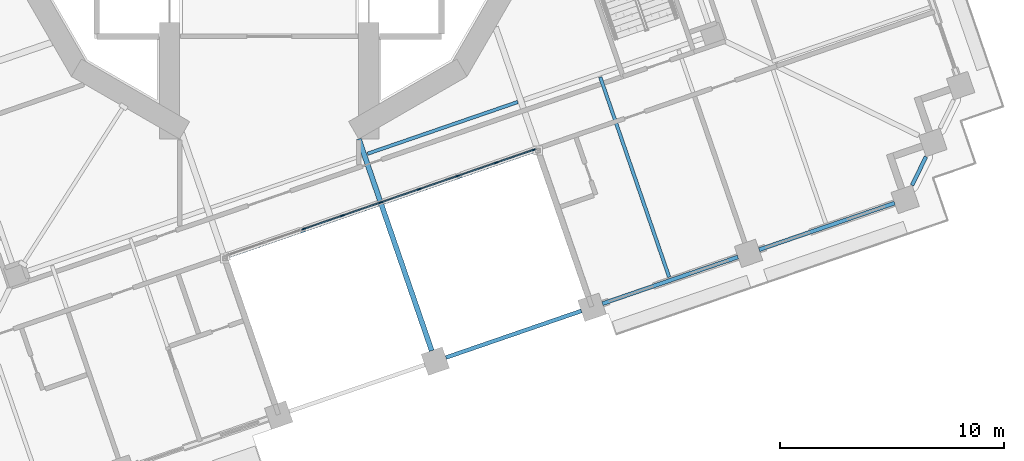
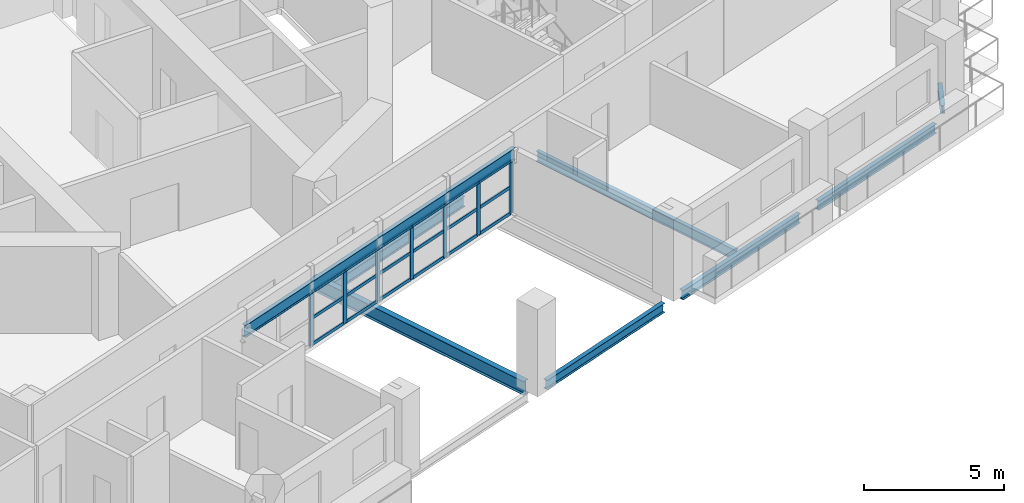
# One storey, part 4 of 22: 25 members, 8 beams, 1 element without a shape of its own.
"""IFC4 building model written with IfcOpenShell, lengths in metres."""

import ifcopenshell
import ifcopenshell.guid

model = None  # the IFC model being written
_history = None  # IfcOwnerHistory: only IFC2X3 demands one
_inside = {}  # id of a spatial element -> (the spatial element, [elements in it])
_under = {}  # id of a project, library or spatial element -> (it, [spatial elements below it])
_declared = {}  # id of a project -> (the project, [libraries it declares])
_typed = {}  # id of a type object -> (the type object, [elements of that type])
_made_of = {}  # id of a material, layer set ... -> (it, [elements and type objects made of it])


def new_model(schema):
    """Start an empty IFC model of exactly this schema.

    Asked for "IFC4X3", IfcOpenShell would pick the latest addendum, in which some entities
    have other attributes; the version numbers below select the first issue.
    IFC2X3 requires an IfcOwnerHistory on every rooted entity: one is made here for all.
    """
    global model, _history
    if schema == "IFC4X3":
        model = ifcopenshell.file(schema_version=(4, 3, 0, 0))
    else:
        model = ifcopenshell.file(schema=schema)
    _inside.clear()
    _under.clear()
    _declared.clear()
    _typed.clear()
    _made_of.clear()
    _history = None
    if model.schema == "IFC2X3":
        org = make("IfcOrganization", Name="unknown")
        user = make(
            "IfcPersonAndOrganization",
            ThePerson=make("IfcPerson", FamilyName="unknown"),
            TheOrganization=org,
        )
        app = make(
            "IfcApplication",
            ApplicationDeveloper=org,
            Version="unknown",
            ApplicationFullName="unknown",
            ApplicationIdentifier="unknown",
        )
        _history = make(
            "IfcOwnerHistory",
            OwningUser=user,
            OwningApplication=app,
            ChangeAction="ADDED",
            CreationDate=0,
        )
    return model


def make(cls, **values):
    """One entity of the class cls with the attributes given. An attribute that is None is left unset."""
    return model.create_entity(
        cls, **{name: value for name, value in values.items() if value is not None}
    )


def rooted(cls, **values):
    """An entity with a GlobalId (a new one), such as an element, a storey or a relation."""
    return make(cls, GlobalId=ifcopenshell.guid.new(), OwnerHistory=_history, **values)


def si_unit(unit_type, name, prefix=None):
    """IfcSIUnit, for example si_unit("LENGTHUNIT", "METRE", prefix="MILLI")."""
    return make("IfcSIUnit", UnitType=unit_type, Prefix=prefix, Name=name)


def assignment(units):
    """IfcUnitAssignment: the units of a project."""
    return None if units is None else make("IfcUnitAssignment", Units=units)


def point(xyz):
    """IfcCartesianPoint."""
    return None if xyz is None else make("IfcCartesianPoint", Coordinates=xyz)


def direction(xyz):
    """IfcDirection."""
    return None if xyz is None else make("IfcDirection", DirectionRatios=xyz)


def frame(location, z_axis=None, x_axis=None):
    """IfcAxis2Placement3D, a coordinate frame: its origin and axes. An axis left out is left unset."""
    return make(
        "IfcAxis2Placement3D",
        Location=point(location),
        Axis=direction(z_axis),
        RefDirection=direction(x_axis),
    )


def frame_2d(location, x_axis=None):
    """IfcAxis2Placement2D, a coordinate frame in the plane: its origin and x axis."""
    return make(
        "IfcAxis2Placement2D", Location=point(location), RefDirection=direction(x_axis)
    )


def origin():
    """The frame at (0, 0, 0) with its axes left unset."""
    return frame((0.0, 0.0, 0.0))


def origin_2d():
    """The frame at (0, 0) in the plane with its x axis left unset."""
    return frame_2d((0.0, 0.0))


def place(relative_to, where):
    """IfcLocalPlacement: puts the frame where relative to a parent placement (None: the world)."""
    return make(
        "IfcLocalPlacement", PlacementRelTo=relative_to, RelativePlacement=where
    )


def context(
    kind, dimensions, precision=None, world=None, true_north=None, identifier=None
):
    """IfcGeometricRepresentationContext, for example the 3D "Model" context."""
    return make(
        "IfcGeometricRepresentationContext",
        ContextIdentifier=identifier,
        ContextType=kind,
        CoordinateSpaceDimension=dimensions,
        Precision=precision,
        WorldCoordinateSystem=world,
        TrueNorth=true_north,
    )


def subcontext(parent, identifier, kind, view, scale=None):
    """IfcGeometricRepresentationSubContext, for example "Body" below "Model"."""
    return make(
        "IfcGeometricRepresentationSubContext",
        ContextIdentifier=identifier,
        ContextType=kind,
        ParentContext=parent,
        TargetScale=scale,
        TargetView=view,
    )


def project(units=None, contexts=None):
    """IfcProject with its units and contexts."""
    return rooted(
        "IfcProject",
        Name="project",
        RepresentationContexts=contexts,
        UnitsInContext=assignment(units),
    )


def spatial(cls, under=None, at=None, **own):
    """A site, building, storey or space (cls), placed at a placement, below another one or the project."""
    s = rooted(cls, ObjectPlacement=at, **own)
    if under is not None:
        _under.setdefault(under.id(), (under, []))[1].append(s)
    return s


def profile(cls, at=None, kind="AREA", **sizes):
    """A parametric profile (cls). Its sizes go by their IFC names, for example OverallWidth=200.0."""
    return make(cls, ProfileType=kind, Position=at, **sizes)


def rectangle(**sizes):
    """IfcRectangleProfileDef."""
    return profile("IfcRectangleProfileDef", **sizes)


def i_section(**sizes):
    """IfcIShapeProfileDef."""
    return profile("IfcIShapeProfileDef", **sizes)


def extrude(swept, where, along, depth):
    """IfcExtrudedAreaSolid: the profile swept, set in the frame where, extruded along a direction by depth."""
    return make(
        "IfcExtrudedAreaSolid",
        SweptArea=swept,
        Position=where,
        ExtrudedDirection=direction(along),
        Depth=depth,
    )


def shape(context_of_items, identifier, shape_type, items):
    """IfcShapeRepresentation: the items that make up one representation, for example the "Body"."""
    return make(
        "IfcShapeRepresentation",
        ContextOfItems=context_of_items,
        RepresentationIdentifier=identifier,
        RepresentationType=shape_type,
        Items=items,
    )


def material(Name=None, Category=None):
    """IfcMaterial."""
    return make("IfcMaterial", Name=Name, Category=Category)


def material_profile(
    of_material, cross_section, Name=None, Category=None, Priority=None
):
    """IfcMaterialProfile: a cross section and its material."""
    return make(
        "IfcMaterialProfile",
        Name=Name,
        Material=of_material,
        Profile=cross_section,
        Priority=Priority,
        Category=Category,
    )


def profile_set(profiles, Name=None, composite=None):
    """IfcMaterialProfileSet."""
    return make(
        "IfcMaterialProfileSet",
        Name=Name,
        MaterialProfiles=profiles,
        CompositeProfile=composite,
    )


def made_of(thing, what):
    """Note that an element or type object is made of a material, layer set ...; save() writes the relation."""
    if what is not None:
        _made_of.setdefault(what.id(), (what, []))[1].append(thing)
    return thing


def type_object(cls, material=None, **own):
    """A type object (cls), such as IfcWallType, which elements share."""
    return made_of(rooted(cls, **own), material)


def element(
    cls,
    number,
    at=None,
    inside=None,
    cuts=None,
    type_object=None,
    material=None,
    context=None,
    identifier="Body",
    shape_type=None,
    held_by="IfcProductDefinitionShape",
    body=None,
    shapes=None,
    **own,
):
    """One element of the class cls, such as IfcWall. Its Tag is "e" and its number.

    at: its placement. inside: the storey or other place that contains it. cuts: it is an
    opening in that element (IfcRelVoidsElement). A single representation is given by context,
    identifier, shape_type and body (its items); several are given by shapes. held_by: the class
    of the entity that holds the representations. save() writes the other relations.
    """
    e = rooted(cls, Tag="e%d" % number, ObjectPlacement=at, **own)
    if body is not None:
        shapes = [shape(context, identifier, shape_type, body)]
    if shapes is not None:
        e.Representation = make(held_by, Representations=shapes)
    if inside is not None:
        _inside.setdefault(inside.id(), (inside, []))[1].append(e)
    if cuts is not None:
        rooted(
            "IfcRelVoidsElement", RelatingBuildingElement=cuts, RelatedOpeningElement=e
        )
    if type_object is not None:
        _typed.setdefault(type_object.id(), (type_object, []))[1].append(e)
    return made_of(e, material)


def aggregate(whole, parts):
    """IfcRelAggregates: a whole, such as a stair, and the parts it consists of."""
    return rooted("IfcRelAggregates", RelatingObject=whole, RelatedObjects=parts)


def save(model, path):
    """Write the relations noted so far, then the file.

    IfcRelAggregates (storeys below a building ...), IfcRelContainedInSpatialStructure (elements
    in a storey), IfcRelDefinesByType, IfcRelAssociatesMaterial and IfcRelDeclares: one each for
    every whole, place, type object, material and project.
    """
    for whole, parts in _under.values():
        aggregate(whole, parts)
    for where, things in _inside.values():
        rooted(
            "IfcRelContainedInSpatialStructure",
            RelatedElements=things,
            RelatingStructure=where,
        )
    for kind, things in _typed.values():
        rooted("IfcRelDefinesByType", RelatedObjects=things, RelatingType=kind)
    for what, things in _made_of.values():
        rooted("IfcRelAssociatesMaterial", RelatedObjects=things, RelatingMaterial=what)
    for by, libraries in _declared.values():
        rooted("IfcRelDeclares", RelatingContext=by, RelatedDefinitions=libraries)
    model.write(path)


model = new_model("IFC4")

# Units and contexts
model_context = context("Model", 3, precision=1e-05, world=origin(), true_north=direction((0.0, 1.0)))
body_context = subcontext(model_context, "Body", "Model", "MODEL_VIEW")
ifc_project = project(units=[si_unit("LENGTHUNIT", "METRE"), si_unit("AREAUNIT", "SQUARE_METRE"), si_unit("VOLUMEUNIT", "CUBIC_METRE"), si_unit("PLANEANGLEUNIT", "RADIAN"), si_unit("MASSUNIT", "GRAM", prefix="KILO")], contexts=[model_context])

# Site, building, storey
site_placement = place(None, origin())
site = spatial("IfcSite", under=ifc_project, at=site_placement, CompositionType="ELEMENT")
building_placement = place(site_placement, origin())
building = spatial("IfcBuilding", under=site, at=building_placement, Name="Cantera Rosa Tower", CompositionType="ELEMENT")
storey_placement = place(building_placement, frame((0.0, 0.0, 107.89990234375)))
storey = spatial("IfcBuildingStorey", under=building, at=storey_placement, Name="L21", CompositionType="ELEMENT", Elevation=107.89990234375)

# Curtain wall, members
ifc_material_1 = material(Name="Aluminium frame with clear glass", Category="aluminium")
curtain_wall_type = type_object("IfcCurtainWallType", Name="CW1 TERRACE POCKET GLAZING", PredefinedType="NOTDEFINED", material=ifc_material_1)
curtain_wall_placement = place(storey_placement, origin())
curtain_wall = element("IfcCurtainWall", 1, at=curtain_wall_placement, inside=storey, type_object=curtain_wall_type, Name="CW1 CW1", PredefinedType="NOTDEFINED")
ifc_material_2 = material(Name="Anodised bronze aluminium", Category="aluminium")
ifc_material_profile_1 = material_profile(ifc_material_2, rectangle(XDim=0.06005859375, YDim=0.179931640625, at=origin_2d()), Name="CW-MULLION 60x180 POCKET")
ifc_profile_set_1 = profile_set([ifc_material_profile_1], Name="Anodised bronze aluminium")
member_type_1 = type_object("IfcMemberType", Name="CW-MULLION 60x180 POCKET", PredefinedType="MULLION", material=ifc_profile_set_1)
member_1_placement = place(storey_placement, frame((1.541748046875, -15.650634765625, 0.0), z_axis=(0.0, 0.0, 1.0), x_axis=(-0.325568154441, 0.945518575605, 0.0)))
member_1 = element("IfcMember", 2, at=member_1_placement, type_object=member_type_1, Name="CW1 mullion 3", PredefinedType="MULLION", context=body_context, shape_type="SweptSolid", body=[
    extrude(rectangle(XDim=0.06005859375, YDim=0.179931640625, at=origin_2d()), origin(), (0.0, 0.0, 1.0), 2.338134765625),
])
member_2_placement = place(storey_placement, frame((3.261474609375, -15.05859375, 0.0), z_axis=(0.0, 0.0, 1.0), x_axis=(-0.325568154441, 0.945518575605, 0.0)))
member_2 = element("IfcMember", 3, at=member_2_placement, type_object=member_type_1, Name="CW1 mullion 4", PredefinedType="MULLION", context=body_context, shape_type="SweptSolid", body=[
    extrude(rectangle(XDim=0.06005859375, YDim=0.179931640625, at=origin_2d()), origin(), (0.0, 0.0, 1.0), 2.338134765625),
])
member_3_placement = place(storey_placement, frame((4.981201171875, -14.466552734375, 0.0), z_axis=(0.0, 0.0, 1.0), x_axis=(-0.325568154441, 0.945518575605, 0.0)))
member_3 = element("IfcMember", 4, at=member_3_placement, type_object=member_type_1, Name="CW1 mullion 5", PredefinedType="MULLION", context=body_context, shape_type="SweptSolid", body=[
    extrude(rectangle(XDim=0.06005859375, YDim=0.179931640625, at=origin_2d()), origin(), (0.0, 0.0, 1.0), 2.338134765625),
])
member_4_placement = place(storey_placement, frame((6.700927734375, -13.874267578125, 0.0), z_axis=(0.0, 0.0, 1.0), x_axis=(-0.325568154441, 0.945518575605, 0.0)))
member_4 = element("IfcMember", 5, at=member_4_placement, type_object=member_type_1, Name="CW1 mullion 6", PredefinedType="MULLION", context=body_context, shape_type="SweptSolid", body=[
    extrude(rectangle(XDim=0.06005859375, YDim=0.179931640625, at=origin_2d()), origin(), (0.0, 0.0, 1.0), 2.338134765625),
])
member_5_placement = place(storey_placement, frame((8.42041015625, -13.2822265625, 0.0), z_axis=(0.0, 0.0, 1.0), x_axis=(-0.325568154441, 0.945518575605, 0.0)))
member_5 = element("IfcMember", 6, at=member_5_placement, type_object=member_type_1, Name="CW1 mullion 7", PredefinedType="MULLION", context=body_context, shape_type="SweptSolid", body=[
    extrude(rectangle(XDim=0.06005859375, YDim=0.179931640625, at=origin_2d()), origin(), (0.0, 0.0, 1.0), 2.338134765625),
])
member_6_placement = place(storey_placement, frame((10.14013671875, -12.68994140625, 0.0), z_axis=(0.0, 0.0, 1.0), x_axis=(-0.325568154441, 0.945518575605, 0.0)))
member_6 = element("IfcMember", 7, at=member_6_placement, type_object=member_type_1, Name="CW1 mullion 8", PredefinedType="MULLION", context=body_context, shape_type="SweptSolid", body=[
    extrude(rectangle(XDim=0.06005859375, YDim=0.179931640625, at=origin_2d()), origin(), (0.0, 0.0, 1.0), 2.338134765625),
])
member_7_placement = place(storey_placement, frame((11.83154296875, -12.107666015625, 0.0), z_axis=(0.0, 0.0, 1.0), x_axis=(-0.325568154441, 0.945518575605, 0.0)))
member_7 = element("IfcMember", 8, at=member_7_placement, type_object=member_type_1, Name="CW1 mullion 9", PredefinedType="MULLION", context=body_context, shape_type="SweptSolid", body=[
    extrude(rectangle(XDim=0.06005859375, YDim=0.179931640625, at=origin_2d()), origin(), (0.0, 0.0, 1.0), 2.338134765625),
])
ifc_material_3 = material(Name="Anodised bronze aluminium", Category="aluminium")
ifc_material_profile_2 = material_profile(ifc_material_3, rectangle(XDim=0.06005859375, YDim=0.139892578125, at=origin_2d()), Name="CW-TRANSOM 60x140 POCKET")
ifc_profile_set_2 = profile_set([ifc_material_profile_2], Name="Anodised bronze aluminium")
member_type_2 = type_object("IfcMemberType", Name="CW-TRANSOM 60x140 POCKET", PredefinedType="USERDEFINED", material=ifc_profile_set_2)
member_8_placement = place(storey_placement, frame((1.5703125, -15.640869140625, 0.030029296875), z_axis=(0.945527779058, 0.325541424444, 0.0), x_axis=(-0.325541424444, 0.945527779058, 0.0)))
member_8 = element("IfcMember", 9, at=member_8_placement, type_object=member_type_2, Name="CW1 transom 3.1", ObjectType="TRANSOM", PredefinedType="USERDEFINED", context=body_context, shape_type="SweptSolid", body=[
    extrude(rectangle(XDim=0.06005859375, YDim=0.139892578125, at=origin_2d()), origin(), (0.0, 0.0, 1.0), 1.758544921875),
])
member_9_placement = place(storey_placement, frame((1.5703125, -15.640869140625, 1.169189453125), z_axis=(0.945527779058, 0.325541424444, 0.0), x_axis=(-0.325541424444, 0.945527779058, 0.0)))
member_9 = element("IfcMember", 10, at=member_9_placement, type_object=member_type_2, Name="CW1 transom 3.2", ObjectType="TRANSOM", PredefinedType="USERDEFINED", context=body_context, shape_type="SweptSolid", body=[
    extrude(rectangle(XDim=0.06005859375, YDim=0.139892578125, at=origin_2d()), origin(), (0.0, 0.0, 1.0), 1.758544921875),
])
member_10_placement = place(storey_placement, frame((1.5703125, -15.640869140625, 2.30810546875), z_axis=(0.945527779058, 0.325541424444, 0.0), x_axis=(-0.325541424444, 0.945527779058, 0.0)))
member_10 = element("IfcMember", 11, at=member_10_placement, type_object=member_type_2, Name="CW1 transom 3.3", ObjectType="TRANSOM", PredefinedType="USERDEFINED", context=body_context, shape_type="SweptSolid", body=[
    extrude(rectangle(XDim=0.06005859375, YDim=0.139892578125, at=origin_2d()), origin(), (0.0, 0.0, 1.0), 1.758544921875),
])
member_11_placement = place(storey_placement, frame((3.289794921875, -15.048828125, 0.030029296875), z_axis=(0.945542488305, 0.325498698631, 0.0), x_axis=(-0.325498698631, 0.945542488305, 0.0)))
member_11 = element("IfcMember", 12, at=member_11_placement, type_object=member_type_2, Name="CW1 transom 4.1", ObjectType="TRANSOM", PredefinedType="USERDEFINED", context=body_context, shape_type="SweptSolid", body=[
    extrude(rectangle(XDim=0.06005859375, YDim=0.139892578125, at=origin_2d()), origin(), (0.0, 0.0, 1.0), 1.7587890625),
])
member_12_placement = place(storey_placement, frame((3.289794921875, -15.048828125, 1.169189453125), z_axis=(0.945542488305, 0.325498698631, 0.0), x_axis=(-0.325498698631, 0.945542488305, 0.0)))
member_12 = element("IfcMember", 13, at=member_12_placement, type_object=member_type_2, Name="CW1 transom 4.2", ObjectType="TRANSOM", PredefinedType="USERDEFINED", context=body_context, shape_type="SweptSolid", body=[
    extrude(rectangle(XDim=0.06005859375, YDim=0.139892578125, at=origin_2d()), origin(), (0.0, 0.0, 1.0), 1.7587890625),
])
member_13_placement = place(storey_placement, frame((3.289794921875, -15.048828125, 2.30810546875), z_axis=(0.945542488305, 0.325498698631, 0.0), x_axis=(-0.325498698631, 0.945542488305, 0.0)))
member_13 = element("IfcMember", 14, at=member_13_placement, type_object=member_type_2, Name="CW1 transom 4.3", ObjectType="TRANSOM", PredefinedType="USERDEFINED", context=body_context, shape_type="SweptSolid", body=[
    extrude(rectangle(XDim=0.06005859375, YDim=0.139892578125, at=origin_2d()), origin(), (0.0, 0.0, 1.0), 1.7587890625),
])
member_14_placement = place(storey_placement, frame((5.009521484375, -14.456787109375, 0.030029296875), z_axis=(0.945499761554, 0.325622789284, 0.0), x_axis=(-0.325622789284, 0.945499761554, 0.0)))
member_14 = element("IfcMember", 15, at=member_14_placement, type_object=member_type_2, Name="CW1 transom 5.1", ObjectType="TRANSOM", PredefinedType="USERDEFINED", context=body_context, shape_type="SweptSolid", body=[
    extrude(rectangle(XDim=0.06005859375, YDim=0.139892578125, at=origin_2d()), origin(), (0.0, 0.0, 1.0), 1.759033203125),
])
member_15_placement = place(storey_placement, frame((5.009521484375, -14.456787109375, 1.169189453125), z_axis=(0.945499761554, 0.325622789284, 0.0), x_axis=(-0.325622789284, 0.945499761554, 0.0)))
member_15 = element("IfcMember", 16, at=member_15_placement, type_object=member_type_2, Name="CW1 transom 5.2", ObjectType="TRANSOM", PredefinedType="USERDEFINED", context=body_context, shape_type="SweptSolid", body=[
    extrude(rectangle(XDim=0.06005859375, YDim=0.139892578125, at=origin_2d()), origin(), (0.0, 0.0, 1.0), 1.759033203125),
])
member_16_placement = place(storey_placement, frame((5.009521484375, -14.456787109375, 2.30810546875), z_axis=(0.945499761554, 0.325622789284, 0.0), x_axis=(-0.325622789284, 0.945499761554, 0.0)))
member_16 = element("IfcMember", 17, at=member_16_placement, type_object=member_type_2, Name="CW1 transom 5.3", ObjectType="TRANSOM", PredefinedType="USERDEFINED", context=body_context, shape_type="SweptSolid", body=[
    extrude(rectangle(XDim=0.06005859375, YDim=0.139892578125, at=origin_2d()), origin(), (0.0, 0.0, 1.0), 1.759033203125),
])
member_17_placement = place(storey_placement, frame((6.729248046875, -13.864501953125, 0.030029296875), z_axis=(0.945527779058, 0.325541424444, 0.0), x_axis=(-0.325541424444, 0.945527779058, 0.0)))
member_17 = element("IfcMember", 18, at=member_17_placement, type_object=member_type_2, Name="CW1 transom 6.1", ObjectType="TRANSOM", PredefinedType="USERDEFINED", context=body_context, shape_type="SweptSolid", body=[
    extrude(rectangle(XDim=0.06005859375, YDim=0.139892578125, at=origin_2d()), origin(), (0.0, 0.0, 1.0), 1.758544921875),
])
member_18_placement = place(storey_placement, frame((6.729248046875, -13.864501953125, 1.169189453125), z_axis=(0.945527779058, 0.325541424444, 0.0), x_axis=(-0.325541424444, 0.945527779058, 0.0)))
member_18 = element("IfcMember", 19, at=member_18_placement, type_object=member_type_2, Name="CW1 transom 6.2", ObjectType="TRANSOM", PredefinedType="USERDEFINED", context=body_context, shape_type="SweptSolid", body=[
    extrude(rectangle(XDim=0.06005859375, YDim=0.139892578125, at=origin_2d()), origin(), (0.0, 0.0, 1.0), 1.758544921875),
])
member_19_placement = place(storey_placement, frame((6.729248046875, -13.864501953125, 2.30810546875), z_axis=(0.945527779058, 0.325541424444, 0.0), x_axis=(-0.325541424444, 0.945527779058, 0.0)))
member_19 = element("IfcMember", 20, at=member_19_placement, type_object=member_type_2, Name="CW1 transom 6.3", ObjectType="TRANSOM", PredefinedType="USERDEFINED", context=body_context, shape_type="SweptSolid", body=[
    extrude(rectangle(XDim=0.06005859375, YDim=0.139892578125, at=origin_2d()), origin(), (0.0, 0.0, 1.0), 1.758544921875),
])
member_20_placement = place(storey_placement, frame((8.448974609375, -13.2724609375, 0.030029296875), z_axis=(0.945485041755, 0.325665527523, 0.0), x_axis=(-0.325665527523, 0.945485041755, 0.0)))
member_20 = element("IfcMember", 21, at=member_20_placement, type_object=member_type_2, Name="CW1 transom 7.1", ObjectType="TRANSOM", PredefinedType="USERDEFINED", context=body_context, shape_type="SweptSolid", body=[
    extrude(rectangle(XDim=0.06005859375, YDim=0.139892578125, at=origin_2d()), origin(), (0.0, 0.0, 1.0), 1.7587890625),
])
member_21_placement = place(storey_placement, frame((8.448974609375, -13.2724609375, 1.169189453125), z_axis=(0.945485041755, 0.325665527523, 0.0), x_axis=(-0.325665527523, 0.945485041755, 0.0)))
member_21 = element("IfcMember", 22, at=member_21_placement, type_object=member_type_2, Name="CW1 transom 7.2", ObjectType="TRANSOM", PredefinedType="USERDEFINED", context=body_context, shape_type="SweptSolid", body=[
    extrude(rectangle(XDim=0.06005859375, YDim=0.139892578125, at=origin_2d()), origin(), (0.0, 0.0, 1.0), 1.7587890625),
])
member_22_placement = place(storey_placement, frame((8.448974609375, -13.2724609375, 2.30810546875), z_axis=(0.945485041755, 0.325665527523, 0.0), x_axis=(-0.325665527523, 0.945485041755, 0.0)))
member_22 = element("IfcMember", 23, at=member_22_placement, type_object=member_type_2, Name="CW1 transom 7.3", ObjectType="TRANSOM", PredefinedType="USERDEFINED", context=body_context, shape_type="SweptSolid", body=[
    extrude(rectangle(XDim=0.06005859375, YDim=0.139892578125, at=origin_2d()), origin(), (0.0, 0.0, 1.0), 1.7587890625),
])
member_23_placement = place(storey_placement, frame((10.16845703125, -12.68017578125, 0.030029296875), z_axis=(0.945545423079, 0.325490173267, 0.0), x_axis=(-0.325490173267, 0.945545423079, 0.0)))
member_23 = element("IfcMember", 24, at=member_23_placement, type_object=member_type_2, Name="CW1 transom 8.1", ObjectType="TRANSOM", PredefinedType="USERDEFINED", context=body_context, shape_type="SweptSolid", body=[
    extrude(rectangle(XDim=0.06005859375, YDim=0.139892578125, at=origin_2d()), origin(), (0.0, 0.0, 1.0), 1.72900390625),
])
member_24_placement = place(storey_placement, frame((10.16845703125, -12.68017578125, 1.169189453125), z_axis=(0.945545423079, 0.325490173267, 0.0), x_axis=(-0.325490173267, 0.945545423079, 0.0)))
member_24 = element("IfcMember", 25, at=member_24_placement, type_object=member_type_2, Name="CW1 transom 8.2", ObjectType="TRANSOM", PredefinedType="USERDEFINED", context=body_context, shape_type="SweptSolid", body=[
    extrude(rectangle(XDim=0.06005859375, YDim=0.139892578125, at=origin_2d()), origin(), (0.0, 0.0, 1.0), 1.72900390625),
])
member_25_placement = place(storey_placement, frame((10.16845703125, -12.68017578125, 2.30810546875), z_axis=(0.945545423079, 0.325490173267, 0.0), x_axis=(-0.325490173267, 0.945545423079, 0.0)))
member_25 = element("IfcMember", 26, at=member_25_placement, type_object=member_type_2, Name="CW1 transom 8.3", ObjectType="TRANSOM", PredefinedType="USERDEFINED", context=body_context, shape_type="SweptSolid", body=[
    extrude(rectangle(XDim=0.06005859375, YDim=0.139892578125, at=origin_2d()), origin(), (0.0, 0.0, 1.0), 1.72900390625),
])
aggregate(curtain_wall, [member_1, member_2, member_3, member_4, member_5, member_6, member_7, member_8, member_9, member_10, member_11, member_12, member_13, member_14, member_15, member_16, member_17, member_18, member_19, member_20, member_21, member_22, member_23, member_24, member_25])

# Beams
ifc_material_4 = material(Name="Steel ASTM A992 (Fy 345 MPa)", Category="steel")
ifc_material_profile_3 = material_profile(ifc_material_4, i_section(OverallWidth=0.154052734375, OverallDepth=0.4599609375, WebThickness=0.009033203125, FlangeThickness=0.015380859375, FilletRadius=0.01025390625, at=origin_2d()), Name="W460X68")
ifc_profile_set_3 = profile_set([ifc_material_profile_3], Name="Steel ASTM A992 (Fy 345 MPa)")
beam_type_1 = type_object("IfcBeamType", Name="STEEL BEAM W460X68", PredefinedType="BEAM", material=ifc_profile_set_3)
beam_1_placement = place(storey_placement, frame((4.390380859375, -12.290283203125, -0.47998046875), z_axis=(0.9455219702, 0.325558295653, 0.0), x_axis=(-0.325558295653, 0.9455219702, 0.0)))
element("IfcBeam", 27, at=beam_1_placement, inside=storey, type_object=beam_type_1, Name="RB-Z2-07 L21", PredefinedType="BEAM", context=body_context, shape_type="SweptSolid", body=[
    extrude(i_section(OverallWidth=0.154052734375, OverallDepth=0.4599609375, WebThickness=0.009033203125, FlangeThickness=0.015380859375, FilletRadius=0.01025390625, at=origin_2d()), origin(), (0.0, 0.0, 1.0), 7.10009765625),
])
ifc_material_5 = material(Name="Steel ASTM A992 (Fy 345 MPa)", Category="steel")
ifc_material_profile_4 = material_profile(ifc_material_5, i_section(OverallWidth=0.166015625, OverallDepth=0.528076171875, WebThickness=0.009765625, FlangeThickness=0.013671875, FilletRadius=0.0126953125, at=origin_2d()), Name="W530X74")
ifc_profile_set_4 = profile_set([ifc_material_profile_4], Name="Steel ASTM A992 (Fy 345 MPa)")
beam_type_2 = type_object("IfcBeamType", Name="STEEL BEAM W530X74", PredefinedType="BEAM", material=ifc_profile_set_4)
beam_2_placement = place(storey_placement, frame((-1.9521484375, -16.906494140625, 2.60400390625), z_axis=(0.945523255262, 0.325554563413, 0.0), x_axis=(-0.325554563413, 0.945523255262, 0.0)))
element("IfcBeam", 28, at=beam_2_placement, inside=storey, type_object=beam_type_2, Name="LINTEL SL-L21", PredefinedType="BEAM", context=body_context, shape_type="SweptSolid", body=[
    extrude(i_section(OverallWidth=0.166015625, OverallDepth=0.528076171875, WebThickness=0.009765625, FlangeThickness=0.013671875, FilletRadius=0.0126953125, at=origin_2d()), origin(), (0.0, 0.0, 1.0), 14.699951171875),
])
ifc_material_6 = material(Name="Steel ASTM A992 (Fy 345 MPa)", Category="steel")
ifc_material_profile_5 = material_profile(ifc_material_6, i_section(OverallWidth=0.22802734375, OverallDepth=0.60205078125, WebThickness=0.010498046875, FlangeThickness=0.014892578125, FilletRadius=0.0126953125, at=origin_2d()), Name="W610X101")
ifc_profile_set_5 = profile_set([ifc_material_profile_5], Name="Steel ASTM A992 (Fy 345 MPa)")
beam_type_3 = type_object("IfcBeamType", Name="STEEL BEAM W610X101", PredefinedType="BEAM", material=ifc_profile_set_5)
beam_3_placement = place(storey_placement, frame((7.26025390625, -21.0849609375, -0.55078125), z_axis=(-0.325587365823, 0.945511960377, 0.0), x_axis=(-0.945511960377, -0.325587365823, 0.0)))
element("IfcBeam", 29, at=beam_3_placement, inside=storey, type_object=beam_type_3, Name="G-Z2-12 L21", PredefinedType="BEAM", context=body_context, shape_type="SweptSolid", body=[
    extrude(i_section(OverallWidth=0.22802734375, OverallDepth=0.60205078125, WebThickness=0.010498046875, FlangeThickness=0.014892578125, FilletRadius=0.0126953125, at=origin_2d()), origin(), (0.0, 0.0, 1.0), 10.0),
])
ifc_material_7 = material(Name="Steel ASTM A992 (Fy 345 MPa)", Category="steel")
ifc_material_profile_6 = material_profile(ifc_material_7, i_section(OverallWidth=0.154052734375, OverallDepth=0.4599609375, WebThickness=0.009033203125, FlangeThickness=0.015380859375, FilletRadius=0.01025390625, at=origin_2d()), Name="W460X68")
ifc_profile_set_6 = profile_set([ifc_material_profile_6], Name="Steel ASTM A992 (Fy 345 MPa)")
beam_type_4 = type_object("IfcBeamType", Name="STEEL JOIST W460X68", PredefinedType="JOIST", material=ifc_profile_set_6)
beam_4_placement = place(storey_placement, frame((17.869384765625, -17.80224609375, -0.47998046875), z_axis=(-0.325567084667, 0.945518943957, 0.0), x_axis=(-0.945518943957, -0.325567084667, 0.0)))
element("IfcBeam", 30, at=beam_4_placement, inside=storey, type_object=beam_type_4, Name="B-Z2-16 L21", PredefinedType="JOIST", context=body_context, shape_type="SweptSolid", body=[
    extrude(i_section(OverallWidth=0.154052734375, OverallDepth=0.4599609375, WebThickness=0.009033203125, FlangeThickness=0.015380859375, FilletRadius=0.01025390625, at=origin_2d()), origin(), (0.0, 0.0, 1.0), 9.4501953125),
])
ifc_material_8 = material(Name="Steel ASTM A992 (Fy 345 MPa)", Category="steel")
ifc_material_profile_7 = material_profile(ifc_material_8, i_section(OverallWidth=0.1708984375, OverallDepth=0.35595703125, WebThickness=0.00732421875, FlangeThickness=0.01171875, FilletRadius=0.010009765625, at=origin_2d()), Name="W360X51")
ifc_profile_set_7 = profile_set([ifc_material_profile_7], Name="Steel ASTM A992 (Fy 345 MPa)")
beam_type_5 = type_object("IfcBeamType", Name="STEEL SPANDREL BEAM W360X51", PredefinedType="SPANDREL", material=ifc_profile_set_7)
beam_5_placement = place(storey_placement, frame((28.723388671875, -13.694580078125, -0.427978515625), z_axis=(0.438491655897, 0.898735260079, 0.0), x_axis=(-0.898735260079, 0.438491655897, 0.0)))
element("IfcBeam", 31, at=beam_5_placement, inside=storey, type_object=beam_type_5, Name="EB-Z2-29 L21", PredefinedType="SPANDREL", context=body_context, shape_type="SweptSolid", body=[
    extrude(i_section(OverallWidth=0.1708984375, OverallDepth=0.35595703125, WebThickness=0.00732421875, FlangeThickness=0.01171875, FilletRadius=0.010009765625, at=origin_2d()), origin(), (0.0, 0.0, 1.0), 1.414306640625),
])
ifc_material_9 = material(Name="Steel ASTM A992 (Fy 345 MPa)", Category="steel")
ifc_material_profile_8 = material_profile(ifc_material_9, i_section(OverallWidth=0.177978515625, OverallDepth=0.406005859375, WebThickness=0.0078125, FlangeThickness=0.0126953125, FilletRadius=0.01025390625, at=origin_2d()), Name="W410X60")
ifc_profile_set_8 = profile_set([ifc_material_profile_8], Name="Steel ASTM A992 (Fy 345 MPa)")
beam_type_6 = type_object("IfcBeamType", Name="STEEL SPANDREL BEAM W410X60", PredefinedType="SPANDREL", material=ifc_profile_set_8)
for number, where, z_axis, x_axis, name in (
    (32, (7.895751953125, -21.39501953125, -0.452880859375), (0.945524496524, 0.325550958337, 0.0), (-0.325550958337, 0.945524496524, 0.0), "EB-Z2-26 L21"),
    (33, (14.892578125, -18.98583984375, -0.452880859375), (0.945512753621, 0.325585062219, 0.0), (-0.325585062219, 0.945512753621, 0.0), "EB-Z2-27 L21"),
    (34, (21.889404296875, -16.57666015625, -0.452880859375), (0.945512753621, 0.325585062219, 0.0), (-0.325585062219, 0.945512753621, 0.0), "EB-Z2-28 L21"),
):
    element("IfcBeam", number, at=place(storey_placement, frame(where, z_axis=z_axis, x_axis=x_axis)), inside=storey, type_object=beam_type_6, Name=name, PredefinedType="SPANDREL", context=body_context, shape_type="SweptSolid", body=[
        extrude(i_section(OverallWidth=0.177978515625, OverallDepth=0.406005859375, WebThickness=0.0078125, FlangeThickness=0.0126953125, FilletRadius=0.01025390625, at=origin_2d()), origin(), (0.0, 0.0, 1.0), 6.39990234375),
    ])

save(model, "model.ifc")
